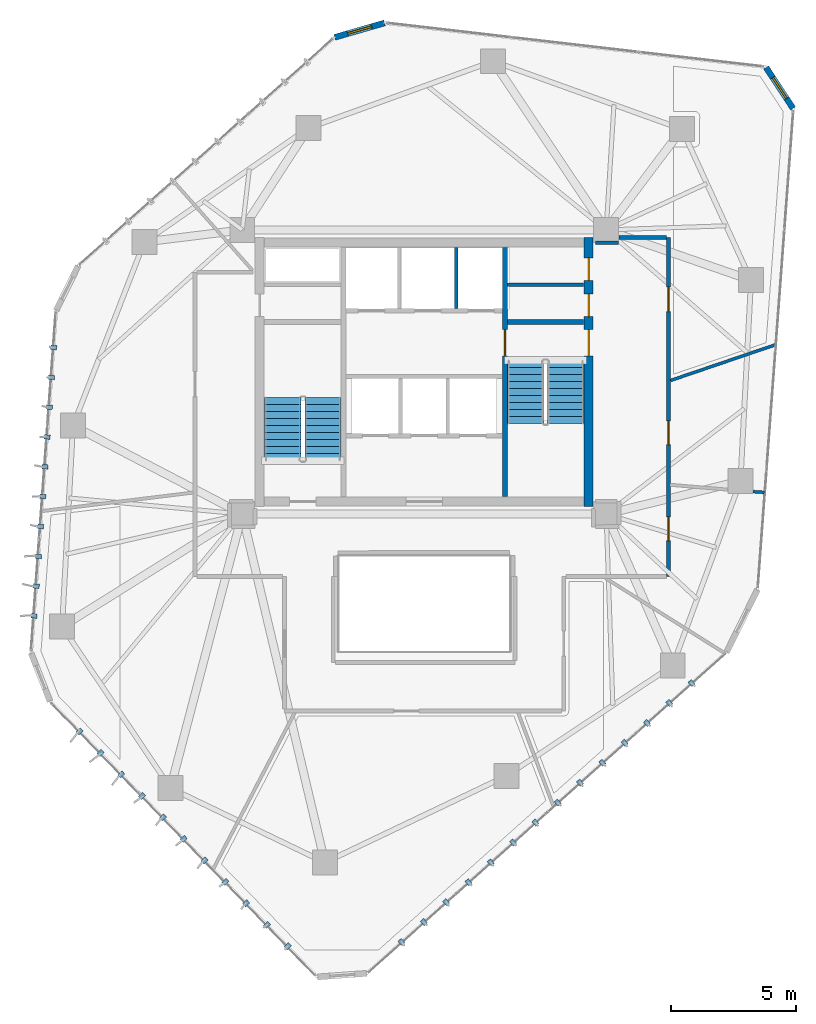
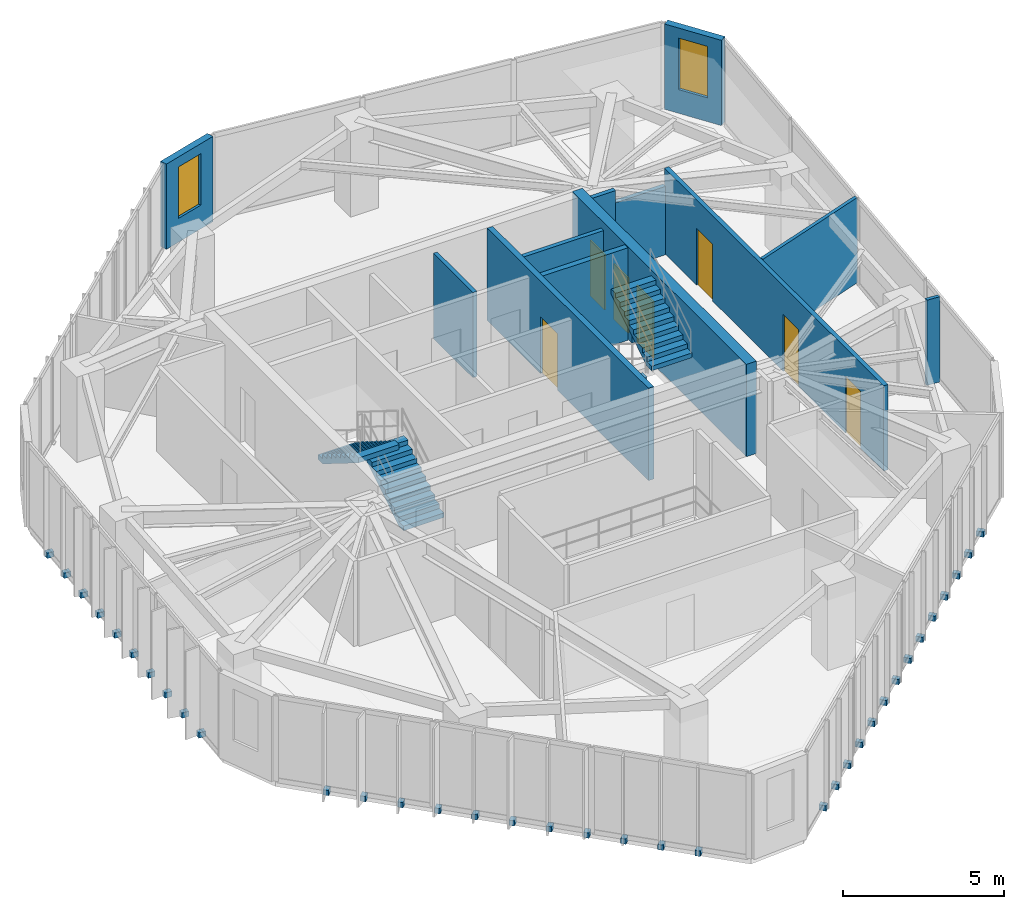
# One storey, part 17 of 20: 35 discrete accessories, 12 walls, 7 doors, 4 stair flights, 2 windows, 9 openings, 2 elements without a shape of their own.
"""IFC4 building model written with IfcOpenShell, lengths in metres."""

from ifc_helpers import new_model, si_unit, direction, frame, frame_2d, origin, origin_2d, place, context, subcontext, project, spatial, polyline, rectangle, outline, extrude, source, transform, mapped, material, layer, layer_set, type_object, type_shapes, element, fill, aggregate, save


model = new_model("IFC4")

# Units and contexts
model_context = context("Model", 3, precision=1e-05, world=origin(), true_north=direction((0.0, 1.0)))
body_context = subcontext(model_context, "Body", "Model", "MODEL_VIEW")
ifc_project = project(units=[si_unit("LENGTHUNIT", "METRE"), si_unit("AREAUNIT", "SQUARE_METRE"), si_unit("VOLUMEUNIT", "CUBIC_METRE"), si_unit("PLANEANGLEUNIT", "RADIAN"), si_unit("MASSUNIT", "GRAM", prefix="KILO")], contexts=[model_context])

# Site, building, storey
site_placement = place(None, origin())
site = spatial("IfcSite", under=ifc_project, at=site_placement, CompositionType="ELEMENT")
building_placement = place(site_placement, origin())
building = spatial("IfcBuilding", under=site, at=building_placement, Name="Talar Marvaseh", CompositionType="ELEMENT")
storey_placement = place(building_placement, frame((0.0, 0.0, 215.199951171875)))
storey = spatial("IfcBuildingStorey", under=building, at=storey_placement, Name="L56", CompositionType="ELEMENT", Elevation=215.199951171875)

# Wall, opening, window
ifc_material_1 = material(Name="Precast concrete C45/55", Category="concrete")
ifc_layer_1 = layer(ifc_material_1, 0.239990234375)
ifc_layer_set_1 = layer_set([ifc_layer_1], Name="Precast concrete C45/55")
wall_type_1 = type_object("IfcWallType", Name="Chamfered Hexagonal Corner Pier Wall Z3 240", PredefinedType="SOLIDWALL", material=ifc_layer_set_1)
wall_1_placement = place(storey_placement, frame((22.407958984375, 44.62646484375, 0.0), z_axis=(0.0, 0.0, 1.0), x_axis=(0.960654593634, 0.277745840165, 0.0)))
wall_1 = element("IfcWall", 1, at=wall_1_placement, inside=storey, type_object=wall_type_1, Name="L56 Chamfered Corner Limestone Pier 4", PredefinedType="SOLIDWALL", context=body_context, shape_type="SweptSolid", body=[
    extrude(rectangle(XDim=2.088623046875, YDim=0.239990234375, at=frame_2d((1.04443359375, 0.0))), origin(), (0.0, 0.0, 1.0), 3.22998046875),
])
opening_1_placement = place(wall_1_placement, frame((0.5439453125, 0.0, 0.89990234375)))
opening_1 = element("IfcOpeningElement", 2, at=opening_1_placement, cuts=wall_1, Name="Opening WN-CHM10", PredefinedType="OPENING", context=body_context, shape_type="SweptSolid", body=[
    extrude(rectangle(XDim=1.0, YDim=1.949951171875, at=frame_2d((0.5, 0.97509765625))), frame((0.0, 0.1298828125, 0.0), z_axis=(0.0, -1.0, 0.0), x_axis=(1.0, 0.0, 0.0)), (0.0, 0.0, 1.0), 0.260009765625),
])
ifc_material_2 = material(Name="Laminated Low-E Solar Glass", Category="glass")
window_type = type_object("IfcWindowType", Name="Zone 3 Chamfered Corner Slot Window 1000x1950", PartitioningType="SINGLE_PANEL", PredefinedType="WINDOW", material=ifc_material_2)
shared_shape_1 = source(origin(), body_context, "Body", "SweptSolid", [
    extrude(rectangle(XDim=1.0, YDim=1.949951171875, at=frame_2d((0.5, 0.97509765625))), frame((0.0, 0.030029296875, 0.0), z_axis=(0.0, -1.0, 0.0), x_axis=(1.0, 0.0, 0.0)), (0.0, 0.0, 1.0), 0.06005859375),
])
type_shapes(window_type, [shared_shape_1])
window_1_placement = place(opening_1_placement, origin())
window_1 = element("IfcWindow", 3, at=window_1_placement, inside=storey, type_object=window_type, Name="L56 Chamfered Corner Slot Window", OverallHeight=1.949951171875, OverallWidth=1.0, PartitioningType="SINGLE_PANEL", PredefinedType="WINDOW", context=body_context, shape_type="MappedRepresentation", body=[
    mapped(shared_shape_1, transform((0.0, 0.0, 0.0), x_axis=(1.0, 0.0, 0.0), y_axis=(0.0, 1.0, 0.0), z_axis=(0.0, 0.0, 1.0), scale=1.0)),
])
fill(opening_1, window_1)

wall_2_placement = place(storey_placement, frame((39.718505859375, 43.419921875, 0.0), z_axis=(0.0, 0.0, 1.0), x_axis=(0.549419249046, -0.835546820219, 0.0)))
wall_2 = element("IfcWall", 4, at=wall_2_placement, inside=storey, type_object=wall_type_1, Name="L56 Chamfered Corner Limestone Pier 5", PredefinedType="SOLIDWALL", context=body_context, shape_type="SweptSolid", body=[
    extrude(rectangle(XDim=1.977783203125, YDim=0.239990234375, at=frame_2d((0.98876953125, 0.0))), origin(), (0.0, 0.0, 1.0), 3.22998046875),
])
opening_2_placement = place(wall_2_placement, frame((0.489013671875, 0.0, 0.89990234375)))
opening_2 = element("IfcOpeningElement", 5, at=opening_2_placement, cuts=wall_2, Name="Opening WN-CHM10", PredefinedType="OPENING", context=body_context, shape_type="SweptSolid", body=[
    extrude(rectangle(XDim=1.0, YDim=1.949951171875, at=frame_2d((0.5, 0.97509765625))), frame((0.0, 0.1298828125, 0.0), z_axis=(0.0, -1.0, 0.0), x_axis=(1.0, 0.0, 0.0)), (0.0, 0.0, 1.0), 0.260009765625),
])
window_2_placement = place(opening_2_placement, origin())
window_2 = element("IfcWindow", 6, at=window_2_placement, inside=storey, type_object=window_type, Name="L56 Chamfered Corner Slot Window", OverallHeight=1.949951171875, OverallWidth=1.0, PartitioningType="SINGLE_PANEL", PredefinedType="WINDOW", context=body_context, shape_type="MappedRepresentation", body=[
    mapped(shared_shape_1, transform((0.0, 0.0, 0.0), x_axis=(1.0, 0.0, 0.0), y_axis=(0.0, 1.0, 0.0), z_axis=(0.0, 0.0, 1.0), scale=1.0)),
])
fill(opening_2, window_2)

# Wall
ifc_material_3 = material(Name="Gypsum Board Partition Assembly")
ifc_layer_2 = layer(ifc_material_3, 0.155029296875)
ifc_layer_set_2 = layer_set([ifc_layer_2], Name="Gypsum Board Partition Assembly")
wall_type_2 = type_object("IfcWallType", Name="Corridor Fire-Rated Acoustic Partition 155", PredefinedType="PARTITIONING", material=ifc_layer_set_2)
wall_3_placement = place(storey_placement, frame((29.340087890625, 34.699951171875, 0.0), z_axis=(0.0, 0.0, 1.0), x_axis=(1.0, 0.0, 0.0)))
element("IfcWall", 7, at=wall_3_placement, inside=storey, type_object=wall_type_2, Name="L56 Core BOH Partition", PredefinedType="PARTITIONING", context=body_context, shape_type="SweptSolid", body=[
    extrude(rectangle(XDim=3.059814453125, YDim=0.155029296875, at=frame_2d((1.52978515625, 0.0))), origin(), (0.0, 0.0, 1.0), 3.22998046875),
])

# Wall, openings, doors
wall_4_placement = place(storey_placement, frame((35.800048828125, 36.60009765625, 0.0), z_axis=(0.0, 0.0, 1.0), x_axis=(0.0, -1.0, 0.0)))
wall_4 = element("IfcWall", 8, at=wall_4_placement, inside=storey, type_object=wall_type_2, Name="L56 Interior Partition Wall", PredefinedType="PARTITIONING", context=body_context, shape_type="SweptSolid", body=[
    extrude(rectangle(XDim=13.60009765625, YDim=0.155029296875, at=frame_2d((6.800048828125, 0.0))), origin(), (0.0, 0.0, 1.0), 3.22998046875),
])
opening_3_placement = place(wall_4_placement, frame((11.2138671875, 0.0, 0.0)))
opening_3 = element("IfcOpeningElement", 9, at=opening_3_placement, cuts=wall_4, Name="Opening DR-WC095", PredefinedType="OPENING", context=body_context, shape_type="SweptSolid", body=[
    extrude(rectangle(XDim=0.949951171875, YDim=2.14990234375, at=frame_2d((0.47509765625, 1.074951171875))), frame((0.0, 0.08740234375, 0.0), z_axis=(0.0, -1.0, 0.0), x_axis=(1.0, 0.0, 0.0)), (0.0, 0.0, 1.0), 0.175048828125),
])
opening_4_placement = place(wall_4_placement, frame((7.364990234375, 0.0, 0.0)))
opening_4 = element("IfcOpeningElement", 10, at=opening_4_placement, cuts=wall_4, Name="Opening DR-WC095", PredefinedType="OPENING", context=body_context, shape_type="SweptSolid", body=[
    extrude(rectangle(XDim=0.949951171875, YDim=2.14990234375, at=frame_2d((0.47509765625, 1.074951171875))), frame((0.0, 0.08740234375, 0.0), z_axis=(0.0, -1.0, 0.0), x_axis=(1.0, 0.0, 0.0)), (0.0, 0.0, 1.0), 0.175048828125),
])
opening_5_placement = place(wall_4_placement, frame((1.98193359375, 0.0, 0.0)))
opening_5 = element("IfcOpeningElement", 11, at=opening_5_placement, cuts=wall_4, Name="Opening DR-RM100", PredefinedType="OPENING", context=body_context, shape_type="SweptSolid", body=[
    extrude(rectangle(XDim=1.0, YDim=2.14990234375, at=frame_2d((0.5, 1.074951171875))), frame((0.0, 0.08740234375, 0.0), z_axis=(0.0, -1.0, 0.0), x_axis=(1.0, 0.0, 0.0)), (0.0, 0.0, 1.0), 0.175048828125),
])
ifc_material_4 = material(Name="Acoustic Engineered Oak Timber", Category="wood")
door_type_1 = type_object("IfcDoorType", Name="Washroom and Service Room Door 950x2150", OperationType="NOTDEFINED", PredefinedType="DOOR", material=ifc_material_4)
shared_shape_2 = source(origin(), body_context, "Body", "SweptSolid", [
    extrude(rectangle(XDim=0.949951171875, YDim=2.14990234375, at=frame_2d((0.47509765625, 1.074951171875))), frame((0.0, 0.02490234375, 0.0), z_axis=(0.0, -1.0, 0.0), x_axis=(1.0, 0.0, 0.0)), (0.0, 0.0, 1.0), 0.050048828125),
])
type_shapes(door_type_1, [shared_shape_2])
door_1_placement = place(opening_3_placement, origin())
door_1 = element("IfcDoor", 12, at=door_1_placement, inside=storey, type_object=door_type_1, Name="L56 Accessible WC Door", OperationType="SINGLE_SWING_RIGHT", OverallHeight=2.14990234375, OverallWidth=0.949951171875, PredefinedType="DOOR", context=body_context, shape_type="MappedRepresentation", body=[
    mapped(shared_shape_2, transform((0.0, 0.0, 0.0), x_axis=(1.0, 0.0, 0.0), y_axis=(0.0, 1.0, 0.0), z_axis=(0.0, 0.0, 1.0), scale=1.0)),
])
fill(opening_3, door_1)
door_2_placement = place(opening_4_placement, origin())
door_2 = element("IfcDoor", 13, at=door_2_placement, inside=storey, type_object=door_type_1, Name="L56 WC Public Washrooms Door", OperationType="SINGLE_SWING_LEFT", OverallHeight=2.14990234375, OverallWidth=0.949951171875, PredefinedType="DOOR", context=body_context, shape_type="MappedRepresentation", body=[
    mapped(shared_shape_2, transform((0.0, 0.0, 0.0), x_axis=(1.0, 0.0, 0.0), y_axis=(0.0, 1.0, 0.0), z_axis=(0.0, 0.0, 1.0), scale=1.0)),
])
fill(opening_4, door_2)
door_type_2 = type_object("IfcDoorType", Name="Corridor Fire-Rated Gallery Door 1000x2150", OperationType="NOTDEFINED", PredefinedType="DOOR", material=ifc_material_4)
shared_shape_3 = source(origin(), body_context, "Body", "SweptSolid", [
    extrude(rectangle(XDim=1.0, YDim=2.14990234375, at=frame_2d((0.5, 1.074951171875))), frame((0.0, 0.02490234375, 0.0), z_axis=(0.0, -1.0, 0.0), x_axis=(1.0, 0.0, 0.0)), (0.0, 0.0, 1.0), 0.050048828125),
])
type_shapes(door_type_2, [shared_shape_3])
door_3_placement = place(opening_5_placement, origin())
door_3 = element("IfcDoor", 14, at=door_3_placement, inside=storey, type_object=door_type_2, Name="L56 Artisan Craft Showroom Door", OperationType="SINGLE_SWING_RIGHT", OverallHeight=2.14990234375, OverallWidth=1.0, PredefinedType="DOOR", context=body_context, shape_type="MappedRepresentation", body=[
    mapped(shared_shape_3, transform((0.0, 0.0, 0.0), x_axis=(1.0, 0.0, 0.0), y_axis=(0.0, 1.0, 0.0), z_axis=(0.0, 0.0, 1.0), scale=1.0)),
])
fill(opening_5, door_3)

# Walls
wall_5_placement = place(storey_placement, frame((32.8701171875, 36.385009765625, 0.0), z_axis=(0.0, 0.0, 1.0), x_axis=(0.999999965754, 0.000261711585, 0.0)))
element("IfcWall", 15, at=wall_5_placement, inside=storey, type_object=wall_type_2, Name="L56 Interior Partition Wall", PredefinedType="PARTITIONING", context=body_context, shape_type="SweptSolid", body=[
    extrude(rectangle(XDim=0.932861328125, YDim=0.155029296875, at=frame_2d((0.46630859375, 0.0))), origin(), (0.0, 0.0, 1.0), 3.22998046875),
])
wall_6_placement = place(storey_placement, frame((33.81494140625, 36.60009765625, 0.0), z_axis=(0.0, 0.0, 1.0), x_axis=(1.0, 0.0, 0.0)))
element("IfcWall", 16, at=wall_6_placement, inside=storey, type_object=wall_type_2, Name="L56 Interior Partition Wall", PredefinedType="PARTITIONING", context=body_context, shape_type="SweptSolid", body=[
    extrude(rectangle(XDim=1.901611328125, YDim=0.155029296875, at=frame_2d((0.95068359375, 0.0))), origin(), (0.0, 0.0, 1.0), 2.589111328125),
])
ifc_layer_3 = layer(ifc_material_3, 0.1201171875)
ifc_layer_set_3 = layer_set([ifc_layer_3], Name="Gypsum Board Partition Assembly")
wall_type_3 = type_object("IfcWallType", Name="Demountable Studio Room Partition 120", PredefinedType="PARTITIONING", material=ifc_layer_set_3)
wall_7_placement = place(storey_placement, frame((39.199951171875, 26.39990234375, 0.0), z_axis=(0.0, 0.0, 1.0), x_axis=(0.997278175842, -0.07373086185, 0.0)))
element("IfcWall", 17, at=wall_7_placement, inside=storey, type_object=wall_type_3, Name="L56 Interior Partition Wall", PredefinedType="PARTITIONING", context=body_context, shape_type="SweptSolid", body=[
    extrude(rectangle(XDim=0.447021484375, YDim=0.1201171875, at=frame_2d((0.2236328125, 0.0))), origin(), (0.0, 0.0, 1.0), 3.22998046875),
])
wall_8_placement = place(storey_placement, frame((35.883544921875, 30.8583984375, 0.0), z_axis=(0.0, 0.0, 1.0), x_axis=(0.946579970891, 0.322469159314, 0.0)))
element("IfcWall", 18, at=wall_8_placement, inside=storey, type_object=wall_type_3, Name="L56 Interior Partition Wall", PredefinedType="PARTITIONING", context=body_context, shape_type="SweptSolid", body=[
    extrude(rectangle(XDim=4.442626953125, YDim=0.1201171875, at=frame_2d((2.22119140625, 0.0))), origin(), (0.0, 0.0, 1.0), 3.22998046875),
])
ifc_layer_4 = layer(ifc_material_1, 0.14501953125)
ifc_layer_set_4 = layer_set([ifc_layer_4], Name="Precast concrete C45/55")
wall_type_4 = type_object("IfcWallType", Name="Fire-Rated Lift Divider Wall 145", PredefinedType="SOLIDWALL", material=ifc_layer_set_4)
wall_9_placement = place(storey_placement, frame((27.280029296875, 33.743408203125, 0.0), z_axis=(0.0, 0.0, 1.0), x_axis=(0.0, 1.0, 0.0)))
element("IfcWall", 19, at=wall_9_placement, inside=storey, type_object=wall_type_4, Name="L56 FFL-2/SVL-1 Divider", PredefinedType="SOLIDWALL", context=body_context, shape_type="SweptSolid", body=[
    extrude(rectangle(XDim=2.45654296875, YDim=0.14501953125, at=frame_2d((1.228271484375, 0.0))), origin(), (0.0, 0.0, 1.0), 3.22998046875),
])

# Wall, opening, door
ifc_material_5 = material(Name="Concrete C50/60", Category="concrete")
ifc_layer_5 = layer(ifc_material_5, 0.199951171875)
ifc_layer_set_5 = layer_set([ifc_layer_5], Name="Concrete C50/60")
wall_type_5 = type_object("IfcWallType", Name="Stair Shaft Structural Concrete Shear Wall 200", PredefinedType="SHEAR", material=ifc_layer_set_5)
wall_10_placement = place(storey_placement, frame((29.239990234375, 26.199951171875, 0.0), z_axis=(0.0, 0.0, 1.0), x_axis=(0.0, 1.0, 0.0)))
wall_10 = element("IfcWall", 20, at=wall_10_placement, inside=storey, type_object=wall_type_5, Name="L56 Core East Stair Shear Wall", PredefinedType="SHEAR", context=body_context, shape_type="SweptSolid", body=[
    extrude(rectangle(XDim=10.0, YDim=0.199951171875, at=frame_2d((5.0, 0.0))), origin(), (0.0, 0.0, 1.0), 3.5),
])
opening_6_placement = place(wall_10_placement, frame((5.64990234375, 0.0, 0.0)))
opening_6 = element("IfcOpeningElement", 21, at=opening_6_placement, cuts=wall_10, Name="Opening DR-ST105", PredefinedType="OPENING", context=body_context, shape_type="SweptSolid", body=[
    extrude(rectangle(XDim=1.050048828125, YDim=2.14990234375, at=frame_2d((0.52490234375, 1.074951171875))), frame((0.0, 0.10986328125, 0.0), z_axis=(0.0, -1.0, 0.0), x_axis=(1.0, 0.0, 0.0)), (0.0, 0.0, 1.0), 0.219970703125),
])
ifc_material_6 = material(Name="Fire-Rated Steel Door Leaf", Category="steel")
door_type_3 = type_object("IfcDoorType", Name="Protected Exit Stair Fire Door 1050x2150", OperationType="NOTDEFINED", PredefinedType="DOOR", material=ifc_material_6)
shared_shape_4 = source(origin(), body_context, "Body", "SweptSolid", [
    extrude(rectangle(XDim=1.050048828125, YDim=2.14990234375, at=frame_2d((0.52490234375, 1.074951171875))), frame((0.0, 0.02490234375, 0.0), z_axis=(0.0, -1.0, 0.0), x_axis=(1.0, 0.0, 0.0)), (0.0, 0.0, 1.0), 0.050048828125),
])
type_shapes(door_type_3, [shared_shape_4])
door_4_placement = place(opening_6_placement, origin())
door_4 = element("IfcDoor", 22, at=door_4_placement, inside=storey, type_object=door_type_3, Name="L56 Firefighting Lobby to Stair ST-2 Door", OperationType="SINGLE_SWING_LEFT", OverallHeight=2.14990234375, OverallWidth=1.050048828125, PredefinedType="DOOR", context=body_context, shape_type="MappedRepresentation", body=[
    mapped(shared_shape_4, transform((0.0, 0.0, 0.0), x_axis=(1.0, 0.0, 0.0), y_axis=(0.0, 1.0, 0.0), z_axis=(0.0, 0.0, 1.0), scale=1.0)),
])
fill(opening_6, door_4)

# Wall
wall_11_placement = place(storey_placement, frame((29.340087890625, 33.199951171875, 0.0), z_axis=(0.0, 0.0, 1.0), x_axis=(1.0, 0.0, 0.0)))
element("IfcWall", 23, at=wall_11_placement, inside=storey, type_object=wall_type_5, Name="L56 Stair ST-2 North Shear Wall", PredefinedType="SHEAR", context=body_context, shape_type="SweptSolid", body=[
    extrude(rectangle(XDim=3.059814453125, YDim=0.199951171875, at=frame_2d((1.52978515625, 0.0))), origin(), (0.0, 0.0, 1.0), 3.5),
])

# Wall, openings, doors
ifc_layer_6 = layer(ifc_material_5, 0.360107421875)
ifc_layer_set_6 = layer_set([ifc_layer_6], Name="Concrete C50/60")
wall_type_6 = type_object("IfcWallType", Name="Upper Core Reinforced Concrete Shear Wall 360", PredefinedType="SHEAR", material=ifc_layer_set_6)
wall_12_placement = place(storey_placement, frame((32.60009765625, 36.60009765625, 0.0), z_axis=(0.0, 0.0, 1.0), x_axis=(0.0, -1.0, 0.0)))
wall_12 = element("IfcWall", 24, at=wall_12_placement, inside=storey, type_object=wall_type_6, Name="L56 East Core Shear Wall", PredefinedType="SHEAR", context=body_context, shape_type="SweptSolid", body=[
    extrude(rectangle(XDim=10.800048828125, YDim=0.360107421875, at=frame_2d((5.39990234375, 0.0))), origin(), (0.0, 0.0, 1.0), 3.5),
])
opening_7_placement = place(wall_12_placement, frame((3.699951171875, 0.0, 0.0)))
opening_7 = element("IfcOpeningElement", 25, at=opening_7_placement, cuts=wall_12, Name="Opening DR-ST105", PredefinedType="OPENING", context=body_context, shape_type="SweptSolid", body=[
    extrude(rectangle(XDim=1.050048828125, YDim=2.14990234375, at=frame_2d((0.52490234375, 1.074951171875))), frame((0.0, 0.18994140625, 0.0), z_axis=(0.0, -1.0, 0.0), x_axis=(1.0, 0.0, 0.0)), (0.0, 0.0, 1.0), 0.380126953125),
])
opening_8_placement = place(wall_12_placement, frame((2.280029296875, 0.0, 0.0)))
opening_8 = element("IfcOpeningElement", 26, at=opening_8_placement, cuts=wall_12, Name="Opening DR-BOH090", PredefinedType="OPENING", context=body_context, shape_type="SweptSolid", body=[
    extrude(rectangle(XDim=0.89990234375, YDim=2.10009765625, at=frame_2d((0.449951171875, 1.050048828125))), frame((0.0, 0.18994140625, 0.0), z_axis=(0.0, -1.0, 0.0), x_axis=(1.0, 0.0, 0.0)), (0.0, 0.0, 1.0), 0.380126953125),
])
opening_9_placement = place(wall_12_placement, frame((0.820068359375, 0.0, 0.0)))
opening_9 = element("IfcOpeningElement", 27, at=opening_9_placement, cuts=wall_12, Name="Opening DR-BOH090", PredefinedType="OPENING", context=body_context, shape_type="SweptSolid", body=[
    extrude(rectangle(XDim=0.89990234375, YDim=2.10009765625, at=frame_2d((0.449951171875, 1.050048828125))), frame((0.0, 0.18994140625, 0.0), z_axis=(0.0, -1.0, 0.0), x_axis=(1.0, 0.0, 0.0)), (0.0, 0.0, 1.0), 0.380126953125),
])
door_5_placement = place(opening_7_placement, origin())
door_5 = element("IfcDoor", 28, at=door_5_placement, inside=storey, type_object=door_type_3, Name="L56 Stair ST-2 Corridor Exit Door", OperationType="SINGLE_SWING_LEFT", OverallHeight=2.14990234375, OverallWidth=1.050048828125, PredefinedType="DOOR", context=body_context, shape_type="MappedRepresentation", body=[
    mapped(shared_shape_4, transform((0.0, 0.0, 0.0), x_axis=(1.0, 0.0, 0.0), y_axis=(0.0, 1.0, 0.0), z_axis=(0.0, 0.0, 1.0), scale=1.0)),
])
fill(opening_7, door_5)
door_type_4 = type_object("IfcDoorType", Name="Core Back-of-House Service Door 900x2100", OperationType="NOTDEFINED", PredefinedType="DOOR", material=ifc_material_6)
shared_shape_5 = source(origin(), body_context, "Body", "SweptSolid", [
    extrude(rectangle(XDim=0.89990234375, YDim=2.10009765625, at=frame_2d((0.449951171875, 1.050048828125))), frame((0.0, 0.02490234375, 0.0), z_axis=(0.0, -1.0, 0.0), x_axis=(1.0, 0.0, 0.0)), (0.0, 0.0, 1.0), 0.050048828125),
])
type_shapes(door_type_4, [shared_shape_5])
door_6_placement = place(opening_8_placement, origin())
door_6 = element("IfcDoor", 29, at=door_6_placement, inside=storey, type_object=door_type_4, Name="L56 Cleaner Core East Closet Door", OperationType="SINGLE_SWING_LEFT", OverallHeight=2.10009765625, OverallWidth=0.89990234375, PredefinedType="DOOR", context=body_context, shape_type="MappedRepresentation", body=[
    mapped(shared_shape_5, transform((0.0, 0.0, 0.0), x_axis=(1.0, 0.0, 0.0), y_axis=(0.0, 1.0, 0.0), z_axis=(0.0, 0.0, 1.0), scale=1.0)),
])
fill(opening_8, door_6)
door_7_placement = place(opening_9_placement, origin())
door_7 = element("IfcDoor", 30, at=door_7_placement, inside=storey, type_object=door_type_4, Name="L56 Store Core Supplies Room Door", OperationType="SINGLE_SWING_RIGHT", OverallHeight=2.10009765625, OverallWidth=0.89990234375, PredefinedType="DOOR", context=body_context, shape_type="MappedRepresentation", body=[
    mapped(shared_shape_5, transform((0.0, 0.0, 0.0), x_axis=(1.0, 0.0, 0.0), y_axis=(0.0, 1.0, 0.0), z_axis=(0.0, 0.0, 1.0), scale=1.0)),
])
fill(opening_9, door_7)

# Stair, stair flights
ifc_material_7 = material(Name="Concrete C40/50", Category="concrete")
stair_type = type_object("IfcStairType", Name="Reinforced Concrete High-Rise Exit Stair Type C", PredefinedType="HALF_TURN_STAIR", material=ifc_material_7)
stair_1_placement = place(storey_placement, origin())
stair_1 = element("IfcStair", 31, at=stair_1_placement, inside=storey, type_object=stair_type, Name="L56 Tower West Core Exit Stair", PredefinedType="HALF_TURN_STAIR")
ifc_layer_7 = layer(ifc_material_7, 0.159912109375)
ifc_layer_set_7 = layer_set([ifc_layer_7], Name="Concrete C40/50")
stair_flight_type = type_object("IfcStairFlightType", Name="Reinforced Concrete Straight Stair Flight 160", PredefinedType="STRAIGHT", material=ifc_layer_set_7)
stair_flight_1_placement = place(storey_placement, frame((21.93505859375, 27.64990234375, 0.0), z_axis=(0.0, 0.0, 1.0), x_axis=(0.0, 1.0, 0.0)))
stair_flight_1 = element("IfcStairFlight", 32, at=stair_flight_1_placement, type_object=stair_flight_type, Name="ST-1 flight 1", NumberOfRisers=10, NumberOfTreads=9, PredefinedType="STRAIGHT", RiserHeight=0.175, TreadLength=0.28, context=body_context, shape_type="SweptSolid", body=[
    extrude(outline(polyline([(0.0, 0.0), (0.0, 0.175048828125), (0.280029296875, 0.175048828125), (0.280029296875, 0.35009765625), (0.56005859375, 0.35009765625), (0.56005859375, 0.52490234375), (0.840087890625, 0.52490234375), (0.840087890625, 0.699951171875), (1.1201171875, 0.699951171875), (1.1201171875, 0.875), (1.39990234375, 0.875), (1.39990234375, 1.050048828125), (1.679931640625, 1.050048828125), (1.679931640625, 1.22509765625), (1.9599609375, 1.22509765625), (1.9599609375, 1.39990234375), (2.239990234375, 1.39990234375), (2.239990234375, 1.574951171875), (2.52001953125, 1.574951171875), (2.52001953125, 1.75), (2.52001953125, 1.386474609375), (0.3017578125, 0.0), (0.0, 0.0)])), frame((0.0, 0.72509765625, 0.0), z_axis=(0.0, -1.0, 0.0), x_axis=(1.0, 0.0, 0.0)), (0.0, 0.0, 1.0), 1.449951171875),
])
stair_flight_2_placement = place(storey_placement, frame((20.324951171875, 30.169921875, 1.75), z_axis=(0.0, 0.0, 1.0), x_axis=(0.0, -1.0, 0.0)))
stair_flight_2 = element("IfcStairFlight", 33, at=stair_flight_2_placement, type_object=stair_flight_type, Name="ST-1 flight 2", NumberOfRisers=10, NumberOfTreads=9, PredefinedType="STRAIGHT", RiserHeight=0.175, TreadLength=0.28, context=body_context, shape_type="SweptSolid", body=[
    extrude(outline(polyline([(0.0, 0.0), (0.0, 0.175048828125), (0.280029296875, 0.175048828125), (0.280029296875, 0.35009765625), (0.56005859375, 0.35009765625), (0.56005859375, 0.52490234375), (0.840087890625, 0.52490234375), (0.840087890625, 0.699951171875), (1.1201171875, 0.699951171875), (1.1201171875, 0.875), (1.39990234375, 0.875), (1.39990234375, 1.050048828125), (1.679931640625, 1.050048828125), (1.679931640625, 1.22509765625), (1.9599609375, 1.22509765625), (1.9599609375, 1.39990234375), (2.239990234375, 1.39990234375), (2.239990234375, 1.574951171875), (2.52001953125, 1.574951171875), (2.52001953125, 1.75), (2.52001953125, 1.386474609375), (0.3017578125, 0.0), (0.0, 0.0)])), frame((0.0, 0.72509765625, 0.0), z_axis=(0.0, -1.0, 0.0), x_axis=(1.0, 0.0, 0.0)), (0.0, 0.0, 1.0), 1.449951171875),
])
aggregate(stair_1, [stair_flight_1, stair_flight_2])

stair_2_placement = place(storey_placement, origin())
stair_2 = element("IfcStair", 34, at=stair_2_placement, inside=storey, type_object=stair_type, Name="L56 Tower East Core Exit Stair", PredefinedType="HALF_TURN_STAIR")
stair_flight_3_placement = place(storey_placement, frame((30.06494140625, 31.64990234375, 0.0), z_axis=(0.0, 0.0, 1.0), x_axis=(0.0, -1.0, 0.0)))
stair_flight_3 = element("IfcStairFlight", 35, at=stair_flight_3_placement, type_object=stair_flight_type, Name="ST-2 flight 1", NumberOfRisers=10, NumberOfTreads=9, PredefinedType="STRAIGHT", RiserHeight=0.175, TreadLength=0.28, context=body_context, shape_type="SweptSolid", body=[
    extrude(outline(polyline([(0.0, 0.0), (0.0, 0.175048828125), (0.280029296875, 0.175048828125), (0.280029296875, 0.35009765625), (0.56005859375, 0.35009765625), (0.56005859375, 0.52490234375), (0.840087890625, 0.52490234375), (0.840087890625, 0.699951171875), (1.1201171875, 0.699951171875), (1.1201171875, 0.875), (1.39990234375, 0.875), (1.39990234375, 1.050048828125), (1.679931640625, 1.050048828125), (1.679931640625, 1.22509765625), (1.9599609375, 1.22509765625), (1.9599609375, 1.39990234375), (2.239990234375, 1.39990234375), (2.239990234375, 1.574951171875), (2.52001953125, 1.574951171875), (2.52001953125, 1.75), (2.52001953125, 1.386474609375), (0.3017578125, 0.0), (0.0, 0.0)])), frame((0.0, 0.72509765625, 0.0), z_axis=(0.0, -1.0, 0.0), x_axis=(1.0, 0.0, 0.0)), (0.0, 0.0, 1.0), 1.449951171875),
])
stair_flight_4_placement = place(storey_placement, frame((31.675048828125, 29.1298828125, 1.75), z_axis=(0.0, 0.0, 1.0), x_axis=(0.0, 1.0, 0.0)))
stair_flight_4 = element("IfcStairFlight", 36, at=stair_flight_4_placement, type_object=stair_flight_type, Name="ST-2 flight 2", NumberOfRisers=10, NumberOfTreads=9, PredefinedType="STRAIGHT", RiserHeight=0.175, TreadLength=0.28, context=body_context, shape_type="SweptSolid", body=[
    extrude(outline(polyline([(0.0, 0.0), (0.0, 0.175048828125), (0.280029296875, 0.175048828125), (0.280029296875, 0.35009765625), (0.56005859375, 0.35009765625), (0.56005859375, 0.52490234375), (0.840087890625, 0.52490234375), (0.840087890625, 0.699951171875), (1.1201171875, 0.699951171875), (1.1201171875, 0.875), (1.39990234375, 0.875), (1.39990234375, 1.050048828125), (1.679931640625, 1.050048828125), (1.679931640625, 1.22509765625), (1.9599609375, 1.22509765625), (1.9599609375, 1.39990234375), (2.239990234375, 1.39990234375), (2.239990234375, 1.574951171875), (2.52001953125, 1.574951171875), (2.52001953125, 1.75), (2.52001953125, 1.386474609375), (0.3017578125, 0.0), (0.0, 0.0)])), frame((0.0, 0.72509765625, 0.0), z_axis=(0.0, -1.0, 0.0), x_axis=(1.0, 0.0, 0.0)), (0.0, 0.0, 1.0), 1.449951171875),
])
aggregate(stair_2, [stair_flight_3, stair_flight_4])

# Discrete accessories
ifc_material_8 = material(Name="Stainless Steel Grade 316", Category="steel")
discrete_accessory_type = type_object("IfcDiscreteAccessoryType", Name="Stainless Slab-Edge Fin Mounting Bracket", PredefinedType="BRACKET", material=ifc_material_8)
shared_shape_6 = source(origin(), body_context, "Body", "SweptSolid", [
    extrude(rectangle(XDim=0.239990234375, YDim=0.179931640625, at=origin_2d()), origin(), (0.0, 0.0, 1.0), 0.199951171875),
])
type_shapes(discrete_accessory_type, [shared_shape_6])
for number, where, z_axis, x_axis, name in (
    (37, (20.5263671875, 8.156005859375, -0.1796875), (0.0, 0.0, 1.0), (-0.718126297763, -0.695912796592, 0.0), "L56 Vertical Fin Slab-Edge Bracket"),
    (38, (19.69140625, 9.017578125, -0.1796875), (0.0, 0.0, 1.0), (-0.718126297763, -0.695912796592, 0.0), "L56 Vertical Fin Slab-Edge Bracket"),
    (39, (18.856201171875, 9.87939453125, -0.1796875), (0.0, 0.0, 1.0), (-0.718126297763, -0.695912796592, 0.0), "L56 Vertical Fin Slab-Edge Bracket"),
    (40, (18.021240234375, 10.7412109375, -0.1796875), (0.0, 0.0, 1.0), (-0.718126297763, -0.695912796592, 0.0), "L56 Vertical Fin Slab-Edge Bracket"),
    (41, (17.186279296875, 11.60302734375, -0.1796875), (0.0, 0.0, 1.0), (-0.718126297763, -0.695912796592, 0.0), "L56 Vertical Fin Slab-Edge Bracket"),
    (42, (16.351318359375, 12.46484375, -0.1796875), (0.0, 0.0, 1.0), (-0.718126297763, -0.695912796592, 0.0), "L56 Vertical Fin Slab-Edge Bracket"),
    (43, (15.51611328125, 13.32666015625, -0.1796875), (0.0, 0.0, 1.0), (-0.718126297763, -0.695912796592, 0.0), "L56 Vertical Fin Slab-Edge Bracket"),
    (44, (14.68115234375, 14.1884765625, -0.1796875), (0.0, 0.0, 1.0), (-0.718126297763, -0.695912796592, 0.0), "L56 Vertical Fin Slab-Edge Bracket"),
    (45, (13.84619140625, 15.05029296875, -0.1796875), (0.0, 0.0, 1.0), (-0.718126297763, -0.695912796592, 0.0), "L56 Vertical Fin Slab-Edge Bracket"),
    (46, (13.010986328125, 15.912109375, -0.1796875), (0.0, 0.0, 1.0), (-0.718126297763, -0.695912796592, 0.0), "L56 Vertical Fin Slab-Edge Bracket"),
    (47, (12.176025390625, 16.77392578125, -0.1796875), (0.0, 0.0, 1.0), (-0.718126297763, -0.695912796592, 0.0), "L56 Vertical Fin Slab-Edge Bracket"),
    (48, (10.348876953125, 21.410400390625, -0.1796875), (0.0, 0.0, 1.0), (-0.997339981418, 0.072890064247, 0.0), "L56 Vertical Fin Slab-Edge Bracket"),
    (49, (10.436279296875, 22.607421875, -0.1796875), (0.0, 0.0, 1.0), (-0.997339981418, 0.072890064247, 0.0), "L56 Vertical Fin Slab-Edge Bracket"),
    (50, (10.523681640625, 23.80419921875, -0.1796875), (0.0, 0.0, 1.0), (-0.997339981418, 0.072890064247, 0.0), "L56 Vertical Fin Slab-Edge Bracket"),
    (51, (10.611328125, 25.0009765625, -0.1796875), (0.0, 0.0, 1.0), (-0.997339981418, 0.072890064247, 0.0), "L56 Vertical Fin Slab-Edge Bracket"),
    (52, (10.698974609375, 26.19775390625, -0.1796875), (0.0, 0.0, 1.0), (-0.997339981418, 0.072890064247, 0.0), "L56 Vertical Fin Slab-Edge Bracket"),
    (53, (10.786376953125, 27.39453125, -0.1796875), (0.0, 0.0, 1.0), (-0.997339981418, 0.072890064247, 0.0), "L56 Vertical Fin Slab-Edge Bracket"),
    (54, (10.873779296875, 28.59130859375, -0.1796875), (0.0, 0.0, 1.0), (-0.997339981418, 0.072890064247, 0.0), "L56 Vertical Fin Slab-Edge Bracket"),
    (55, (10.96142578125, 29.7880859375, -0.1796875), (0.0, 0.0, 1.0), (-0.997339981418, 0.072890064247, 0.0), "L56 Vertical Fin Slab-Edge Bracket"),
    (56, (11.048828125, 30.98486328125, -0.1796875), (0.0, 0.0, 1.0), (-0.997339981418, 0.072890064247, 0.0), "L56 Vertical Fin Slab-Edge Bracket"),
    (57, (11.136474609375, 32.181640625, -0.1796875), (0.0, 0.0, 1.0), (-0.997339981418, 0.072890064247, 0.0), "L56 Vertical Fin Slab-Edge Bracket"),
    (58, (36.728515625, 18.716552734375, -0.1796875), (0.0, 0.0, 1.0), (0.666011867434, -0.745941145424, 0.0), "L56 Vertical Fin Slab-Edge Bracket"),
    (59, (35.83349609375, 17.91748046875, -0.1796875), (0.0, 0.0, 1.0), (0.666011867434, -0.745941145424, 0.0), "L56 Vertical Fin Slab-Edge Bracket"),
    (60, (34.938232421875, 17.1181640625, -0.1796875), (0.0, 0.0, 1.0), (0.666011867434, -0.745941145424, 0.0), "L56 Vertical Fin Slab-Edge Bracket"),
    (61, (34.043212890625, 16.319091796875, -0.1796875), (0.0, 0.0, 1.0), (0.666011867434, -0.745941145424, 0.0), "L56 Vertical Fin Slab-Edge Bracket"),
    (62, (33.14794921875, 15.519775390625, -0.1796875), (0.0, 0.0, 1.0), (0.666011867434, -0.745941145424, 0.0), "L56 Vertical Fin Slab-Edge Bracket"),
    (63, (32.252685546875, 14.720703125, -0.1796875), (0.0, 0.0, 1.0), (0.666011867434, -0.745941145424, 0.0), "L56 Vertical Fin Slab-Edge Bracket"),
    (64, (31.357666015625, 13.92138671875, -0.1796875), (0.0, 0.0, 1.0), (0.666011867434, -0.745941145424, 0.0), "L56 Vertical Fin Slab-Edge Bracket"),
    (65, (30.46240234375, 13.122314453125, -0.1796875), (0.0, 0.0, 1.0), (0.666011867434, -0.745941145424, 0.0), "L56 Vertical Fin Slab-Edge Bracket"),
    (66, (29.5673828125, 12.322998046875, -0.1796875), (0.0, 0.0, 1.0), (0.666011867434, -0.745941145424, 0.0), "L56 Vertical Fin Slab-Edge Bracket"),
    (67, (28.672119140625, 11.523681640625, -0.1796875), (0.0, 0.0, 1.0), (0.666011867434, -0.745941145424, 0.0), "L56 Vertical Fin Slab-Edge Bracket"),
    (68, (27.777099609375, 10.724609375, -0.1796875), (0.0, 0.0, 1.0), (0.666011867434, -0.745941145424, 0.0), "L56 Vertical Fin Slab-Edge Bracket"),
    (69, (26.8818359375, 9.92529296875, -0.1796875), (0.0, 0.0, 1.0), (0.666011867434, -0.745941145424, 0.0), "L56 Vertical Fin Slab-Edge Bracket"),
    (70, (25.98681640625, 9.126220703125, -0.1796875), (0.0, 0.0, 1.0), (0.666011867434, -0.745941145424, 0.0), "L56 Vertical Fin Slab-Edge Bracket"),
    (71, (25.091796875, 8.326904296875, -0.1796875), (0.0, 0.0, 1.0), (0.666011867434, -0.745941145424, 0.0), "L56 Vertical Fin Slab-Edge Bracket"),
):
    element("IfcDiscreteAccessory", number, at=place(storey_placement, frame(where, z_axis=z_axis, x_axis=x_axis)), inside=storey, type_object=discrete_accessory_type, Name=name, PredefinedType="BRACKET", context=body_context, shape_type="MappedRepresentation", body=[
        mapped(shared_shape_6, transform((0.0, 0.0, 0.0), x_axis=(1.0, 0.0, 0.0), y_axis=(0.0, 1.0, 0.0), z_axis=(0.0, 0.0, 1.0), scale=1.0)),
    ])

save(model, "model.ifc")
